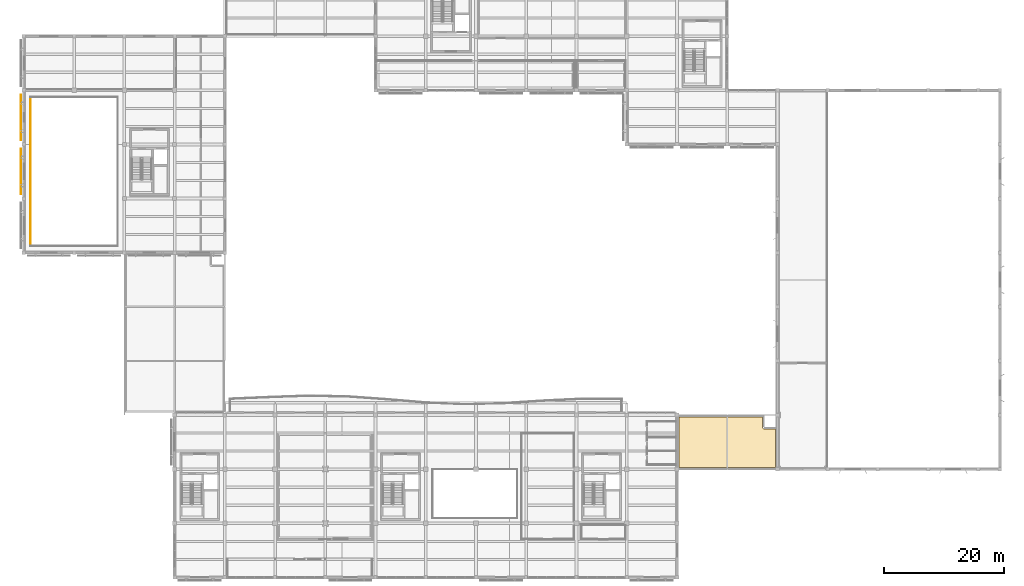
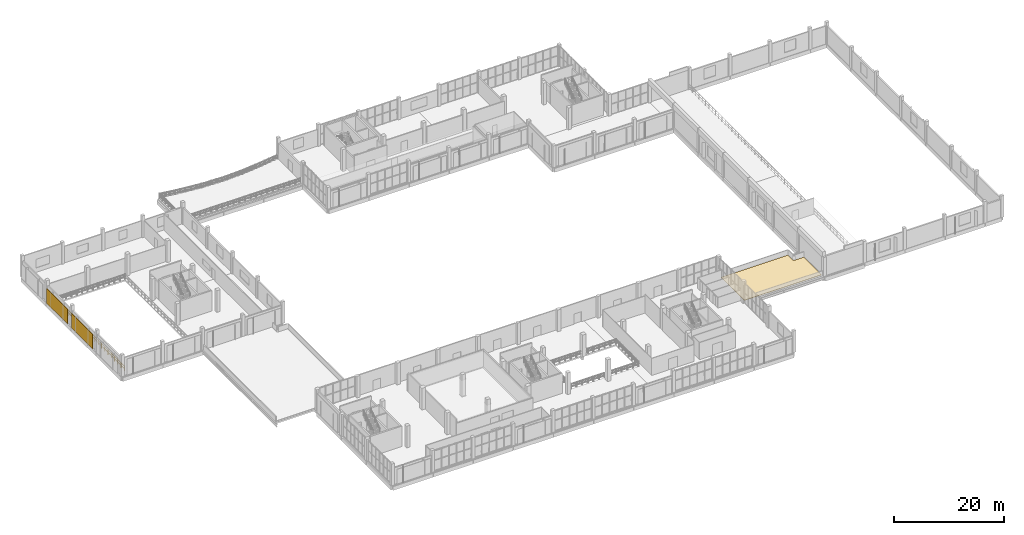
# One storey, part 74 of 80: 2 shading devices, 1 covering, 1 railing.
"""IFC4 building model written with IfcOpenShell, lengths in metres."""

import ifcopenshell
import ifcopenshell.guid

model = None  # the IFC model being written
_history = None  # IfcOwnerHistory: only IFC2X3 demands one
_inside = {}  # id of a spatial element -> (the spatial element, [elements in it])
_under = {}  # id of a project, library or spatial element -> (it, [spatial elements below it])
_declared = {}  # id of a project -> (the project, [libraries it declares])
_typed = {}  # id of a type object -> (the type object, [elements of that type])
_made_of = {}  # id of a material, layer set ... -> (it, [elements and type objects made of it])


def new_model(schema):
    """Start an empty IFC model of exactly this schema.

    Asked for "IFC4X3", IfcOpenShell would pick the latest addendum, in which some entities
    have other attributes; the version numbers below select the first issue.
    IFC2X3 requires an IfcOwnerHistory on every rooted entity: one is made here for all.
    """
    global model, _history
    if schema == "IFC4X3":
        model = ifcopenshell.file(schema_version=(4, 3, 0, 0))
    else:
        model = ifcopenshell.file(schema=schema)
    _inside.clear()
    _under.clear()
    _declared.clear()
    _typed.clear()
    _made_of.clear()
    _history = None
    if model.schema == "IFC2X3":
        org = make("IfcOrganization", Name="unknown")
        user = make(
            "IfcPersonAndOrganization",
            ThePerson=make("IfcPerson", FamilyName="unknown"),
            TheOrganization=org,
        )
        app = make(
            "IfcApplication",
            ApplicationDeveloper=org,
            Version="unknown",
            ApplicationFullName="unknown",
            ApplicationIdentifier="unknown",
        )
        _history = make(
            "IfcOwnerHistory",
            OwningUser=user,
            OwningApplication=app,
            ChangeAction="ADDED",
            CreationDate=0,
        )
    return model


def make(cls, **values):
    """One entity of the class cls with the attributes given. An attribute that is None is left unset."""
    return model.create_entity(
        cls, **{name: value for name, value in values.items() if value is not None}
    )


def rooted(cls, **values):
    """An entity with a GlobalId (a new one), such as an element, a storey or a relation."""
    return make(cls, GlobalId=ifcopenshell.guid.new(), OwnerHistory=_history, **values)


def si_unit(unit_type, name, prefix=None):
    """IfcSIUnit, for example si_unit("LENGTHUNIT", "METRE", prefix="MILLI")."""
    return make("IfcSIUnit", UnitType=unit_type, Prefix=prefix, Name=name)


def assignment(units):
    """IfcUnitAssignment: the units of a project."""
    return None if units is None else make("IfcUnitAssignment", Units=units)


def point(xyz):
    """IfcCartesianPoint."""
    return None if xyz is None else make("IfcCartesianPoint", Coordinates=xyz)


def direction(xyz):
    """IfcDirection."""
    return None if xyz is None else make("IfcDirection", DirectionRatios=xyz)


def frame(location, z_axis=None, x_axis=None):
    """IfcAxis2Placement3D, a coordinate frame: its origin and axes. An axis left out is left unset."""
    return make(
        "IfcAxis2Placement3D",
        Location=point(location),
        Axis=direction(z_axis),
        RefDirection=direction(x_axis),
    )


def frame_2d(location, x_axis=None):
    """IfcAxis2Placement2D, a coordinate frame in the plane: its origin and x axis."""
    return make(
        "IfcAxis2Placement2D", Location=point(location), RefDirection=direction(x_axis)
    )


def origin():
    """The frame at (0, 0, 0) with its axes left unset."""
    return frame((0.0, 0.0, 0.0))


def origin_2d():
    """The frame at (0, 0) in the plane with its x axis left unset."""
    return frame_2d((0.0, 0.0))


def place(relative_to, where):
    """IfcLocalPlacement: puts the frame where relative to a parent placement (None: the world)."""
    return make(
        "IfcLocalPlacement", PlacementRelTo=relative_to, RelativePlacement=where
    )


def context(
    kind, dimensions, precision=None, world=None, true_north=None, identifier=None
):
    """IfcGeometricRepresentationContext, for example the 3D "Model" context."""
    return make(
        "IfcGeometricRepresentationContext",
        ContextIdentifier=identifier,
        ContextType=kind,
        CoordinateSpaceDimension=dimensions,
        Precision=precision,
        WorldCoordinateSystem=world,
        TrueNorth=true_north,
    )


def subcontext(parent, identifier, kind, view, scale=None):
    """IfcGeometricRepresentationSubContext, for example "Body" below "Model"."""
    return make(
        "IfcGeometricRepresentationSubContext",
        ContextIdentifier=identifier,
        ContextType=kind,
        ParentContext=parent,
        TargetScale=scale,
        TargetView=view,
    )


def project(units=None, contexts=None):
    """IfcProject with its units and contexts."""
    return rooted(
        "IfcProject",
        Name="project",
        RepresentationContexts=contexts,
        UnitsInContext=assignment(units),
    )


def spatial(cls, under=None, at=None, **own):
    """A site, building, storey or space (cls), placed at a placement, below another one or the project."""
    s = rooted(cls, ObjectPlacement=at, **own)
    if under is not None:
        _under.setdefault(under.id(), (under, []))[1].append(s)
    return s


def polyline(points):
    """IfcPolyline through the points."""
    return make("IfcPolyline", Points=[point(p) for p in points])


def profile(cls, at=None, kind="AREA", **sizes):
    """A parametric profile (cls). Its sizes go by their IFC names, for example OverallWidth=200.0."""
    return make(cls, ProfileType=kind, Position=at, **sizes)


def rectangle(**sizes):
    """IfcRectangleProfileDef."""
    return profile("IfcRectangleProfileDef", **sizes)


def circle(**sizes):
    """IfcCircleProfileDef."""
    return profile("IfcCircleProfileDef", **sizes)


def outline(outer, holes=None, kind="AREA"):
    """IfcArbitraryClosedProfileDef: a profile drawn as a closed curve; with holes, ...WithVoids."""
    if holes is None:
        return make("IfcArbitraryClosedProfileDef", ProfileType=kind, OuterCurve=outer)
    return make(
        "IfcArbitraryProfileDefWithVoids",
        ProfileType=kind,
        OuterCurve=outer,
        InnerCurves=holes,
    )


def extrude(swept, where, along, depth):
    """IfcExtrudedAreaSolid: the profile swept, set in the frame where, extruded along a direction by depth."""
    return make(
        "IfcExtrudedAreaSolid",
        SweptArea=swept,
        Position=where,
        ExtrudedDirection=direction(along),
        Depth=depth,
    )


def shape(context_of_items, identifier, shape_type, items):
    """IfcShapeRepresentation: the items that make up one representation, for example the "Body"."""
    return make(
        "IfcShapeRepresentation",
        ContextOfItems=context_of_items,
        RepresentationIdentifier=identifier,
        RepresentationType=shape_type,
        Items=items,
    )


def material(Name=None, Category=None):
    """IfcMaterial."""
    return make("IfcMaterial", Name=Name, Category=Category)


def layer(
    of_material, thickness, ventilated=None, Name=None, Category=None, Priority=None
):
    """IfcMaterialLayer: one layer of a wall or slab, of a material (None: an air gap)."""
    return make(
        "IfcMaterialLayer",
        Material=of_material,
        LayerThickness=thickness,
        IsVentilated=ventilated,
        Name=Name,
        Category=Category,
        Priority=Priority,
    )


def layer_set(layers, Name=None):
    """IfcMaterialLayerSet."""
    return make("IfcMaterialLayerSet", MaterialLayers=layers, LayerSetName=Name)


def made_of(thing, what):
    """Note that an element or type object is made of a material, layer set ...; save() writes the relation."""
    if what is not None:
        _made_of.setdefault(what.id(), (what, []))[1].append(thing)
    return thing


def type_object(cls, material=None, **own):
    """A type object (cls), such as IfcWallType, which elements share."""
    return made_of(rooted(cls, **own), material)


def element(
    cls,
    number,
    at=None,
    inside=None,
    cuts=None,
    type_object=None,
    material=None,
    context=None,
    identifier="Body",
    shape_type=None,
    held_by="IfcProductDefinitionShape",
    body=None,
    shapes=None,
    **own,
):
    """One element of the class cls, such as IfcWall. Its Tag is "e" and its number.

    at: its placement. inside: the storey or other place that contains it. cuts: it is an
    opening in that element (IfcRelVoidsElement). A single representation is given by context,
    identifier, shape_type and body (its items); several are given by shapes. held_by: the class
    of the entity that holds the representations. save() writes the other relations.
    """
    e = rooted(cls, Tag="e%d" % number, ObjectPlacement=at, **own)
    if body is not None:
        shapes = [shape(context, identifier, shape_type, body)]
    if shapes is not None:
        e.Representation = make(held_by, Representations=shapes)
    if inside is not None:
        _inside.setdefault(inside.id(), (inside, []))[1].append(e)
    if cuts is not None:
        rooted(
            "IfcRelVoidsElement", RelatingBuildingElement=cuts, RelatedOpeningElement=e
        )
    if type_object is not None:
        _typed.setdefault(type_object.id(), (type_object, []))[1].append(e)
    return made_of(e, material)


def aggregate(whole, parts):
    """IfcRelAggregates: a whole, such as a stair, and the parts it consists of."""
    return rooted("IfcRelAggregates", RelatingObject=whole, RelatedObjects=parts)


def save(model, path):
    """Write the relations noted so far, then the file.

    IfcRelAggregates (storeys below a building ...), IfcRelContainedInSpatialStructure (elements
    in a storey), IfcRelDefinesByType, IfcRelAssociatesMaterial and IfcRelDeclares: one each for
    every whole, place, type object, material and project.
    """
    for whole, parts in _under.values():
        aggregate(whole, parts)
    for where, things in _inside.values():
        rooted(
            "IfcRelContainedInSpatialStructure",
            RelatedElements=things,
            RelatingStructure=where,
        )
    for kind, things in _typed.values():
        rooted("IfcRelDefinesByType", RelatedObjects=things, RelatingType=kind)
    for what, things in _made_of.values():
        rooted("IfcRelAssociatesMaterial", RelatedObjects=things, RelatingMaterial=what)
    for by, libraries in _declared.values():
        rooted("IfcRelDeclares", RelatingContext=by, RelatedDefinitions=libraries)
    model.write(path)


model = new_model("IFC4")

# Units and contexts
model_context = context("Model", 3, precision=1e-05, world=origin(), true_north=direction((0.0, 1.0)))
body_context = subcontext(model_context, "Body", "Model", "MODEL_VIEW")
ifc_project = project(units=[si_unit("LENGTHUNIT", "METRE"), si_unit("AREAUNIT", "SQUARE_METRE"), si_unit("VOLUMEUNIT", "CUBIC_METRE"), si_unit("PLANEANGLEUNIT", "RADIAN"), si_unit("MASSUNIT", "GRAM", prefix="KILO")], contexts=[model_context])

# Site, building, storey
site_placement = place(None, origin())
site = spatial("IfcSite", under=ifc_project, at=site_placement, CompositionType="ELEMENT")
building_placement = place(site_placement, origin())
building = spatial("IfcBuilding", under=site, at=building_placement, Name="Khurvash Pelagic Aquarium", CompositionType="ELEMENT")
storey_placement = place(building_placement, frame((0.0, 0.0, 10.800048828125)))
storey = spatial("IfcBuildingStorey", under=building, at=storey_placement, Name="L02", CompositionType="ELEMENT", Elevation=10.800048828125)

# Covering
ifc_material_1 = material(Name="TPO waterproof membrane and XPS rigid insulation", Category="insulation")
ifc_layer_1 = layer(ifc_material_1, 0.080078125)
ifc_layer_set_1 = layer_set([ifc_layer_1], Name="TPO waterproof membrane and XPS rigid insulation")
covering_type = type_object("IfcCoveringType", Name="CV-RF01", PredefinedType="ROOFING", material=ifc_layer_set_1)
covering_placement = place(storey_placement, origin())
element("IfcCovering", 1, at=covering_placement, inside=storey, type_object=covering_type, Name="L02 Insulated TPO Roof Membrane SLB-ROOF-L02-2-1", PredefinedType="ROOFING", context=body_context, shape_type="SweptSolid", body=[
    extrude(outline(polyline([(125.679931640625, 21.02001953125), (109.52001953125, 21.02001953125), (109.52001953125, 29.429931640625), (123.47998046875, 29.429931640625), (123.47998046875, 27.75), (123.48193359375, 27.718994140625), (123.486083984375, 27.68798828125), (123.493896484375, 27.656982421875), (123.50390625, 27.6279296875), (123.51806640625, 27.59912109375), (123.533935546875, 27.572021484375), (123.552978515625, 27.547119140625), (123.573974609375, 27.52392578125), (123.596923828125, 27.5029296875), (123.6220703125, 27.48388671875), (123.64892578125, 27.468017578125), (123.677978515625, 27.4541015625), (123.70703125, 27.444091796875), (123.738037109375, 27.43603515625), (123.76904296875, 27.431884765625), (123.800048828125, 27.429931640625), (125.679931640625, 27.429931640625), (125.679931640625, 21.02001953125)])), origin(), (0.0, 0.0, 1.0), 0.079833984375),
])

# Railing
ifc_material_2 = material(Name="Powder-coated galvanised steel S355J2", Category="steel")
railing_type = type_object("IfcRailingType", Name="GR-01", PredefinedType="GUARDRAIL", material=ifc_material_2)
railing_placement = place(storey_placement, frame((1.10009765625, 82.949951171875, 0.0)))
element("IfcRailing", 2, at=railing_placement, inside=storey, type_object=railing_type, Name="L02 VOID_AUD_L02 Mezzanine Edge Guardrail GR-01", PredefinedType="GUARDRAIL", context=body_context, shape_type="SweptSolid", body=[
    extrude(circle(Radius=0.02392578125, at=origin_2d()), frame((0.0, 0.0, 1.076171875), z_axis=(0.0, -1.0, 0.0), x_axis=(1.0, 0.0, 0.0)), (0.0, 0.0, 1.0), 24.949951171875),
    extrude(circle(Radius=0.02392578125, at=origin_2d()), frame((0.0, 0.0, 0.5380859375), z_axis=(0.0, -1.0, 0.0), x_axis=(1.0, 0.0, 0.0)), (0.0, 0.0, 1.0), 24.949951171875),
    extrude(circle(Radius=0.02099609375, at=origin_2d()), origin(), (0.0, 0.0, 1.0), 1.052001953125),
    extrude(circle(Radius=0.02099609375, at=origin_2d()), frame((0.0, -1.18798828125, 0.0)), (0.0, 0.0, 1.0), 1.052001953125),
    extrude(circle(Radius=0.02099609375, at=origin_2d()), frame((0.0, -2.376220703125, 0.0)), (0.0, 0.0, 1.0), 1.052001953125),
    extrude(circle(Radius=0.02099609375, at=origin_2d()), frame((0.0, -3.564208984375, 0.0)), (0.0, 0.0, 1.0), 1.052001953125),
    extrude(circle(Radius=0.02099609375, at=origin_2d()), frame((0.0, -4.75244140625, 0.0)), (0.0, 0.0, 1.0), 1.052001953125),
    extrude(circle(Radius=0.02099609375, at=origin_2d()), frame((0.0, -5.9404296875, 0.0)), (0.0, 0.0, 1.0), 1.052001953125),
    extrude(circle(Radius=0.02099609375, at=origin_2d()), frame((0.0, -7.128662109375, 0.0)), (0.0, 0.0, 1.0), 1.052001953125),
    extrude(circle(Radius=0.02099609375, at=origin_2d()), frame((0.0, -8.316650390625, 0.0)), (0.0, 0.0, 1.0), 1.052001953125),
    extrude(circle(Radius=0.02099609375, at=origin_2d()), frame((0.0, -9.504638671875, 0.0)), (0.0, 0.0, 1.0), 1.052001953125),
    extrude(circle(Radius=0.02099609375, at=origin_2d()), frame((0.0, -10.69287109375, 0.0)), (0.0, 0.0, 1.0), 1.052001953125),
    extrude(circle(Radius=0.02099609375, at=origin_2d()), frame((0.0, -11.880859375, 0.0)), (0.0, 0.0, 1.0), 1.052001953125),
    extrude(circle(Radius=0.02099609375, at=origin_2d()), frame((0.0, -13.069091796875, 0.0)), (0.0, 0.0, 1.0), 1.052001953125),
    extrude(circle(Radius=0.02099609375, at=origin_2d()), frame((0.0, -14.257080078125, 0.0)), (0.0, 0.0, 1.0), 1.052001953125),
    extrude(circle(Radius=0.02099609375, at=origin_2d()), frame((0.0, -15.4453125, 0.0)), (0.0, 0.0, 1.0), 1.052001953125),
    extrude(circle(Radius=0.02099609375, at=origin_2d()), frame((0.0, -16.63330078125, 0.0)), (0.0, 0.0, 1.0), 1.052001953125),
    extrude(circle(Radius=0.02099609375, at=origin_2d()), frame((0.0, -17.8212890625, 0.0)), (0.0, 0.0, 1.0), 1.052001953125),
    extrude(circle(Radius=0.02099609375, at=origin_2d()), frame((0.0, -19.009521484375, 0.0)), (0.0, 0.0, 1.0), 1.052001953125),
    extrude(circle(Radius=0.02099609375, at=origin_2d()), frame((0.0, -20.197509765625, 0.0)), (0.0, 0.0, 1.0), 1.052001953125),
    extrude(circle(Radius=0.02099609375, at=origin_2d()), frame((0.0, -21.3857421875, 0.0)), (0.0, 0.0, 1.0), 1.052001953125),
    extrude(circle(Radius=0.02099609375, at=origin_2d()), frame((0.0, -22.57373046875, 0.0)), (0.0, 0.0, 1.0), 1.052001953125),
    extrude(circle(Radius=0.02099609375, at=origin_2d()), frame((0.0, -23.761962890625, 0.0)), (0.0, 0.0, 1.0), 1.052001953125),
    extrude(circle(Radius=0.02099609375, at=origin_2d()), frame((0.0, -24.949951171875, 0.0)), (0.0, 0.0, 1.0), 1.052001953125),
])

# Shading devices
ifc_material_3 = material(Name="Extruded anodised aluminium fin", Category="aluminium")
ifc_layer_2 = layer(ifc_material_3, 0.074951171875)
ifc_layer_set_2 = layer_set([ifc_layer_2], Name="Extruded anodised aluminium fin")
shading_device_type = type_object("IfcShadingDeviceType", Name="SH-FIN", PredefinedType="USERDEFINED", material=ifc_layer_set_2)
for number, where, z_axis, x_axis, name in (
    (3, (-0.510009765625, 79.52490234375, 0.199951171875), (0.0, 0.0, 1.0), (0.0, -1.0, 0.0), "L02 Perforated Aluminium Jali Screen SH-FIN 0026"),
    (4, (-0.510009765625, 70.47509765625, 0.199951171875), (0.0, 0.0, 1.0), (0.0, -1.0, 0.0), "L02 Perforated Aluminium Jali Screen SH-FIN 0027"),
):
    element("IfcShadingDevice", number, at=place(storey_placement, frame(where, z_axis=z_axis, x_axis=x_axis)), inside=storey, type_object=shading_device_type, Name=name, ObjectType="SOLAR FIN", PredefinedType="USERDEFINED", context=body_context, shape_type="SweptSolid", body=[
        extrude(rectangle(XDim=7.639892578125, YDim=0.074951171875, at=origin_2d()), origin(), (0.0, 0.0, 1.0), 3.25),
    ])

save(model, "model.ifc")
